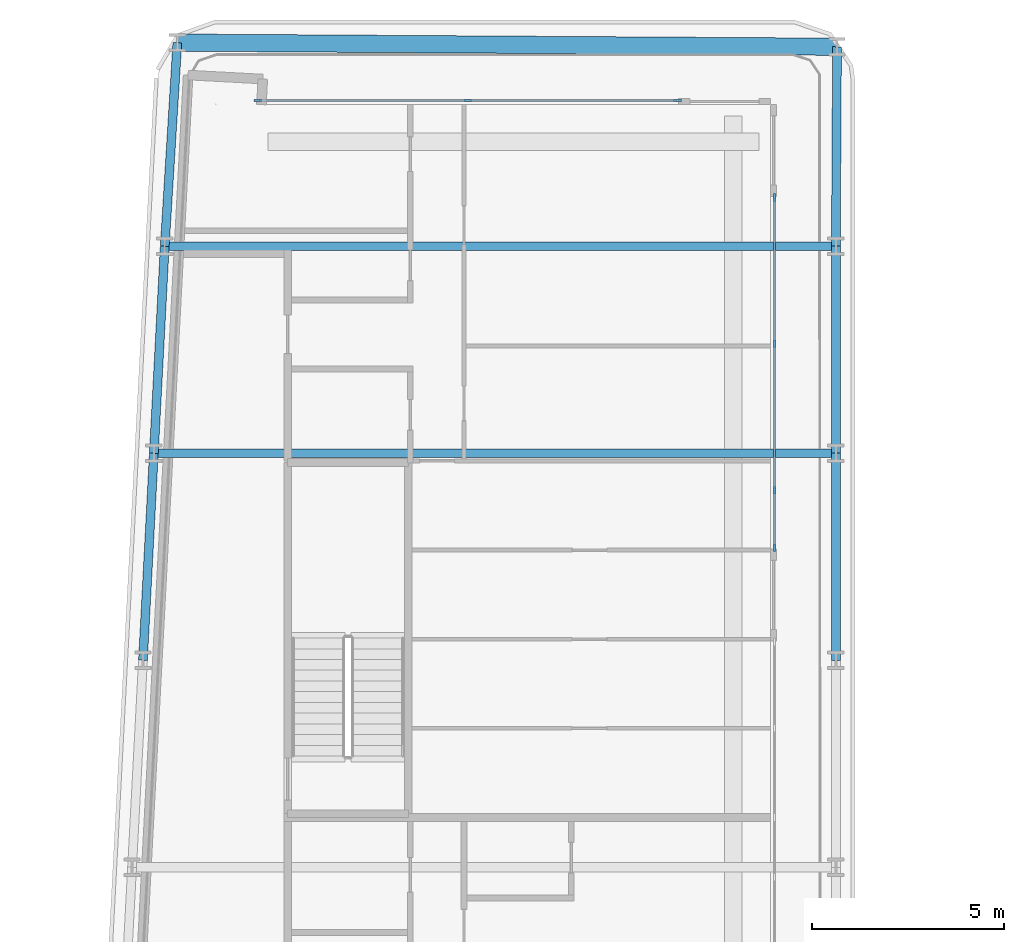
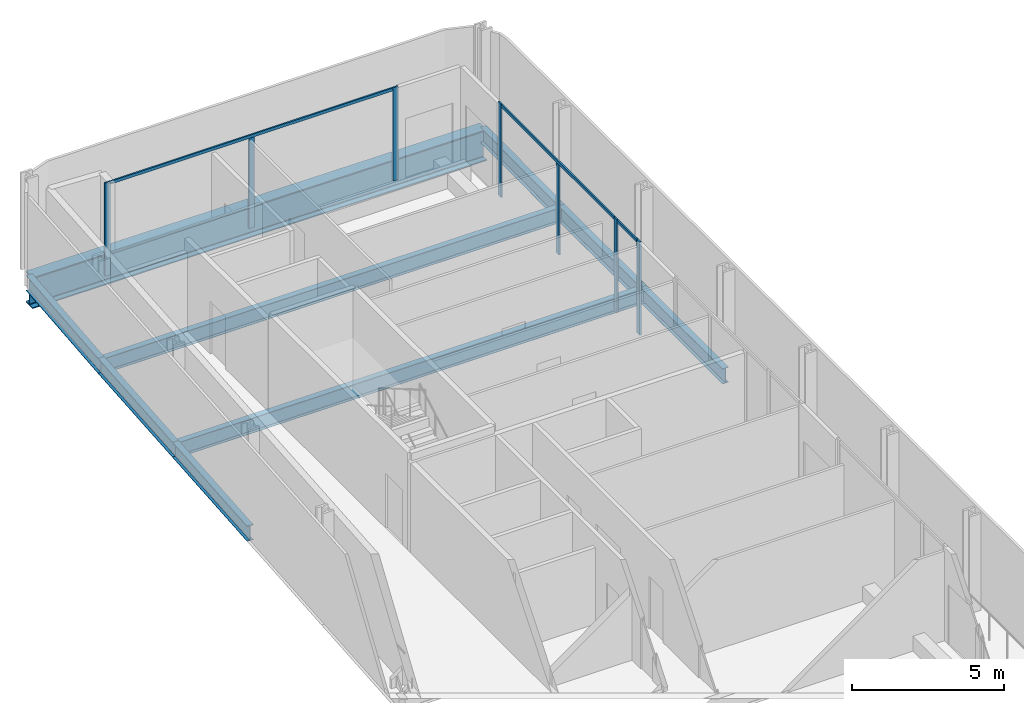
# One storey, part 9 of 28: 10 members, 9 beams, 3 elements without a shape of their own.
"""IFC4 building model written with IfcOpenShell, lengths in metres."""

import ifcopenshell
import ifcopenshell.guid

model = None  # the IFC model being written
_history = None  # IfcOwnerHistory: only IFC2X3 demands one
_inside = {}  # id of a spatial element -> (the spatial element, [elements in it])
_under = {}  # id of a project, library or spatial element -> (it, [spatial elements below it])
_declared = {}  # id of a project -> (the project, [libraries it declares])
_typed = {}  # id of a type object -> (the type object, [elements of that type])
_made_of = {}  # id of a material, layer set ... -> (it, [elements and type objects made of it])


def new_model(schema):
    """Start an empty IFC model of exactly this schema.

    Asked for "IFC4X3", IfcOpenShell would pick the latest addendum, in which some entities
    have other attributes; the version numbers below select the first issue.
    IFC2X3 requires an IfcOwnerHistory on every rooted entity: one is made here for all.
    """
    global model, _history
    if schema == "IFC4X3":
        model = ifcopenshell.file(schema_version=(4, 3, 0, 0))
    else:
        model = ifcopenshell.file(schema=schema)
    _inside.clear()
    _under.clear()
    _declared.clear()
    _typed.clear()
    _made_of.clear()
    _history = None
    if model.schema == "IFC2X3":
        org = make("IfcOrganization", Name="unknown")
        user = make(
            "IfcPersonAndOrganization",
            ThePerson=make("IfcPerson", FamilyName="unknown"),
            TheOrganization=org,
        )
        app = make(
            "IfcApplication",
            ApplicationDeveloper=org,
            Version="unknown",
            ApplicationFullName="unknown",
            ApplicationIdentifier="unknown",
        )
        _history = make(
            "IfcOwnerHistory",
            OwningUser=user,
            OwningApplication=app,
            ChangeAction="ADDED",
            CreationDate=0,
        )
    return model


def make(cls, **values):
    """One entity of the class cls with the attributes given. An attribute that is None is left unset."""
    return model.create_entity(
        cls, **{name: value for name, value in values.items() if value is not None}
    )


def rooted(cls, **values):
    """An entity with a GlobalId (a new one), such as an element, a storey or a relation."""
    return make(cls, GlobalId=ifcopenshell.guid.new(), OwnerHistory=_history, **values)


def si_unit(unit_type, name, prefix=None):
    """IfcSIUnit, for example si_unit("LENGTHUNIT", "METRE", prefix="MILLI")."""
    return make("IfcSIUnit", UnitType=unit_type, Prefix=prefix, Name=name)


def assignment(units):
    """IfcUnitAssignment: the units of a project."""
    return None if units is None else make("IfcUnitAssignment", Units=units)


def point(xyz):
    """IfcCartesianPoint."""
    return None if xyz is None else make("IfcCartesianPoint", Coordinates=xyz)


def direction(xyz):
    """IfcDirection."""
    return None if xyz is None else make("IfcDirection", DirectionRatios=xyz)


def frame(location, z_axis=None, x_axis=None):
    """IfcAxis2Placement3D, a coordinate frame: its origin and axes. An axis left out is left unset."""
    return make(
        "IfcAxis2Placement3D",
        Location=point(location),
        Axis=direction(z_axis),
        RefDirection=direction(x_axis),
    )


def frame_2d(location, x_axis=None):
    """IfcAxis2Placement2D, a coordinate frame in the plane: its origin and x axis."""
    return make(
        "IfcAxis2Placement2D", Location=point(location), RefDirection=direction(x_axis)
    )


def origin():
    """The frame at (0, 0, 0) with its axes left unset."""
    return frame((0.0, 0.0, 0.0))


def origin_2d():
    """The frame at (0, 0) in the plane with its x axis left unset."""
    return frame_2d((0.0, 0.0))


def place(relative_to, where):
    """IfcLocalPlacement: puts the frame where relative to a parent placement (None: the world)."""
    return make(
        "IfcLocalPlacement", PlacementRelTo=relative_to, RelativePlacement=where
    )


def context(
    kind, dimensions, precision=None, world=None, true_north=None, identifier=None
):
    """IfcGeometricRepresentationContext, for example the 3D "Model" context."""
    return make(
        "IfcGeometricRepresentationContext",
        ContextIdentifier=identifier,
        ContextType=kind,
        CoordinateSpaceDimension=dimensions,
        Precision=precision,
        WorldCoordinateSystem=world,
        TrueNorth=true_north,
    )


def subcontext(parent, identifier, kind, view, scale=None):
    """IfcGeometricRepresentationSubContext, for example "Body" below "Model"."""
    return make(
        "IfcGeometricRepresentationSubContext",
        ContextIdentifier=identifier,
        ContextType=kind,
        ParentContext=parent,
        TargetScale=scale,
        TargetView=view,
    )


def project(units=None, contexts=None):
    """IfcProject with its units and contexts."""
    return rooted(
        "IfcProject",
        Name="project",
        RepresentationContexts=contexts,
        UnitsInContext=assignment(units),
    )


def spatial(cls, under=None, at=None, **own):
    """A site, building, storey or space (cls), placed at a placement, below another one or the project."""
    s = rooted(cls, ObjectPlacement=at, **own)
    if under is not None:
        _under.setdefault(under.id(), (under, []))[1].append(s)
    return s


def profile(cls, at=None, kind="AREA", **sizes):
    """A parametric profile (cls). Its sizes go by their IFC names, for example OverallWidth=200.0."""
    return make(cls, ProfileType=kind, Position=at, **sizes)


def rectangle(**sizes):
    """IfcRectangleProfileDef."""
    return profile("IfcRectangleProfileDef", **sizes)


def i_section(**sizes):
    """IfcIShapeProfileDef."""
    return profile("IfcIShapeProfileDef", **sizes)


def extrude(swept, where, along, depth):
    """IfcExtrudedAreaSolid: the profile swept, set in the frame where, extruded along a direction by depth."""
    return make(
        "IfcExtrudedAreaSolid",
        SweptArea=swept,
        Position=where,
        ExtrudedDirection=direction(along),
        Depth=depth,
    )


def shape(context_of_items, identifier, shape_type, items):
    """IfcShapeRepresentation: the items that make up one representation, for example the "Body"."""
    return make(
        "IfcShapeRepresentation",
        ContextOfItems=context_of_items,
        RepresentationIdentifier=identifier,
        RepresentationType=shape_type,
        Items=items,
    )


def material(Name=None, Category=None):
    """IfcMaterial."""
    return make("IfcMaterial", Name=Name, Category=Category)


def layer(
    of_material, thickness, ventilated=None, Name=None, Category=None, Priority=None
):
    """IfcMaterialLayer: one layer of a wall or slab, of a material (None: an air gap)."""
    return make(
        "IfcMaterialLayer",
        Material=of_material,
        LayerThickness=thickness,
        IsVentilated=ventilated,
        Name=Name,
        Category=Category,
        Priority=Priority,
    )


def layer_set(layers, Name=None):
    """IfcMaterialLayerSet."""
    return make("IfcMaterialLayerSet", MaterialLayers=layers, LayerSetName=Name)


def material_profile(
    of_material, cross_section, Name=None, Category=None, Priority=None
):
    """IfcMaterialProfile: a cross section and its material."""
    return make(
        "IfcMaterialProfile",
        Name=Name,
        Material=of_material,
        Profile=cross_section,
        Priority=Priority,
        Category=Category,
    )


def profile_set(profiles, Name=None, composite=None):
    """IfcMaterialProfileSet."""
    return make(
        "IfcMaterialProfileSet",
        Name=Name,
        MaterialProfiles=profiles,
        CompositeProfile=composite,
    )


def made_of(thing, what):
    """Note that an element or type object is made of a material, layer set ...; save() writes the relation."""
    if what is not None:
        _made_of.setdefault(what.id(), (what, []))[1].append(thing)
    return thing


def type_object(cls, material=None, **own):
    """A type object (cls), such as IfcWallType, which elements share."""
    return made_of(rooted(cls, **own), material)


def element(
    cls,
    number,
    at=None,
    inside=None,
    cuts=None,
    type_object=None,
    material=None,
    context=None,
    identifier="Body",
    shape_type=None,
    held_by="IfcProductDefinitionShape",
    body=None,
    shapes=None,
    **own,
):
    """One element of the class cls, such as IfcWall. Its Tag is "e" and its number.

    at: its placement. inside: the storey or other place that contains it. cuts: it is an
    opening in that element (IfcRelVoidsElement). A single representation is given by context,
    identifier, shape_type and body (its items); several are given by shapes. held_by: the class
    of the entity that holds the representations. save() writes the other relations.
    """
    e = rooted(cls, Tag="e%d" % number, ObjectPlacement=at, **own)
    if body is not None:
        shapes = [shape(context, identifier, shape_type, body)]
    if shapes is not None:
        e.Representation = make(held_by, Representations=shapes)
    if inside is not None:
        _inside.setdefault(inside.id(), (inside, []))[1].append(e)
    if cuts is not None:
        rooted(
            "IfcRelVoidsElement", RelatingBuildingElement=cuts, RelatedOpeningElement=e
        )
    if type_object is not None:
        _typed.setdefault(type_object.id(), (type_object, []))[1].append(e)
    return made_of(e, material)


def aggregate(whole, parts):
    """IfcRelAggregates: a whole, such as a stair, and the parts it consists of."""
    return rooted("IfcRelAggregates", RelatingObject=whole, RelatedObjects=parts)


def save(model, path):
    """Write the relations noted so far, then the file.

    IfcRelAggregates (storeys below a building ...), IfcRelContainedInSpatialStructure (elements
    in a storey), IfcRelDefinesByType, IfcRelAssociatesMaterial and IfcRelDeclares: one each for
    every whole, place, type object, material and project.
    """
    for whole, parts in _under.values():
        aggregate(whole, parts)
    for where, things in _inside.values():
        rooted(
            "IfcRelContainedInSpatialStructure",
            RelatedElements=things,
            RelatingStructure=where,
        )
    for kind, things in _typed.values():
        rooted("IfcRelDefinesByType", RelatedObjects=things, RelatingType=kind)
    for what, things in _made_of.values():
        rooted("IfcRelAssociatesMaterial", RelatedObjects=things, RelatingMaterial=what)
    for by, libraries in _declared.values():
        rooted("IfcRelDeclares", RelatingContext=by, RelatedDefinitions=libraries)
    model.write(path)


model = new_model("IFC4")

# Units and contexts
model_context = context("Model", 3, precision=1e-05, world=origin(), true_north=direction((0.0, 1.0)))
body_context = subcontext(model_context, "Body", "Model", "MODEL_VIEW")
ifc_project = project(units=[si_unit("LENGTHUNIT", "METRE"), si_unit("AREAUNIT", "SQUARE_METRE"), si_unit("VOLUMEUNIT", "CUBIC_METRE"), si_unit("PLANEANGLEUNIT", "RADIAN"), si_unit("MASSUNIT", "GRAM", prefix="KILO")], contexts=[model_context])

# Site, building, storey
site_placement = place(None, origin())
site = spatial("IfcSite", under=ifc_project, at=site_placement, CompositionType="ELEMENT")
building_placement = place(site_placement, origin())
building = spatial("IfcBuilding", under=site, at=building_placement, Name="Kheshtan School and Residences Tower", CompositionType="ELEMENT")
storey_placement = place(building_placement, frame((0.0, 0.0, 77.300048828125)))
storey = spatial("IfcBuildingStorey", under=building, at=storey_placement, Name="L18", CompositionType="ELEMENT", Elevation=77.300048828125)

# Beams
ifc_material_1 = material(Name="Steel ASTM A992 Grade 50", Category="steel")
ifc_material_profile_1 = material_profile(ifc_material_1, i_section(OverallWidth=0.22802734375, OverallDepth=0.60302734375, WebThickness=0.010498046875, FlangeThickness=0.014892578125, FilletRadius=0.013427734375, at=origin_2d()), Name="W610x101")
ifc_profile_set_1 = profile_set([ifc_material_profile_1], Name="Steel ASTM A992 Grade 50")
beam_type_1 = type_object("IfcBeamType", Name="Beam FB5 W610x101 ASTM A992 Grade 50", PredefinedType="BEAM", material=ifc_profile_set_1)
beam_1_placement = place(storey_placement, frame((47.60009765625, 94.199951171875, -0.45166015625), z_axis=(-1.0, 0.0, 0.0), x_axis=(0.0, -1.0, 0.0)))
element("IfcBeam", 1, at=beam_1_placement, inside=storey, type_object=beam_type_1, Name="Floor beam C107", PredefinedType="BEAM", context=body_context, shape_type="SweptSolid", body=[
    extrude(i_section(OverallWidth=0.22802734375, OverallDepth=0.60302734375, WebThickness=0.010498046875, FlangeThickness=0.014892578125, FilletRadius=0.013427734375, at=origin_2d()), origin(), (0.0, 0.0, 1.0), 17.505126953125),
])
beam_2_placement = place(storey_placement, frame((29.81103515625, 88.800048828125, -0.45166015625), z_axis=(1.0, 0.0, 0.0), x_axis=(0.0, 1.0, 0.0)))
element("IfcBeam", 2, at=beam_2_placement, inside=storey, type_object=beam_type_1, Name="Floor beam C098", PredefinedType="BEAM", context=body_context, shape_type="SweptSolid", body=[
    extrude(i_section(OverallWidth=0.22802734375, OverallDepth=0.60302734375, WebThickness=0.010498046875, FlangeThickness=0.014892578125, FilletRadius=0.013427734375, at=origin_2d()), origin(), (0.0, 0.0, 1.0), 17.7890625),
])
ifc_material_profile_2 = material_profile(ifc_material_1, i_section(OverallWidth=0.22998046875, OverallDepth=0.616943359375, WebThickness=0.01318359375, FlangeThickness=0.022216796875, FilletRadius=0.0185546875, at=origin_2d()), Name="W610x140")
ifc_profile_set_2 = profile_set([ifc_material_profile_2], Name="Steel ASTM A992 Grade 50")
beam_type_2 = type_object("IfcBeamType", Name="Beam SP1 W610x140 ASTM A992 Grade 50", PredefinedType="BEAM", material=ifc_profile_set_2)
beam_3_placement = place(storey_placement, frame((47.6298828125, 99.402099609375, -0.45849609375), z_axis=(-0.005725455245, -0.999983609447, 0.0), x_axis=(0.999983609447, -0.005725455245, 0.0)))
element("IfcBeam", 3, at=beam_3_placement, inside=storey, type_object=beam_type_2, Name="Spandrel beam C113-C107", PredefinedType="BEAM", context=body_context, shape_type="SweptSolid", body=[
    extrude(i_section(OverallWidth=0.22998046875, OverallDepth=0.616943359375, WebThickness=0.01318359375, FlangeThickness=0.022216796875, FilletRadius=0.0185546875, at=origin_2d()), origin(), (0.0, 0.0, 1.0), 5.2021484375),
])
beam_4_placement = place(storey_placement, frame((47.60009765625, 94.199951171875, -0.45849609375), z_axis=(0.0, -1.0, 0.0), x_axis=(1.0, 0.0, 0.0)))
element("IfcBeam", 4, at=beam_4_placement, inside=storey, type_object=beam_type_2, Name="Spandrel beam C107-C099", PredefinedType="BEAM", context=body_context, shape_type="SweptSolid", body=[
    extrude(i_section(OverallWidth=0.22998046875, OverallDepth=0.616943359375, WebThickness=0.01318359375, FlangeThickness=0.022216796875, FilletRadius=0.0185546875, at=origin_2d()), origin(), (0.0, 0.0, 1.0), 5.39990234375),
])
beam_5_placement = place(storey_placement, frame((47.60009765625, 88.800048828125, -0.45849609375), z_axis=(0.0, -1.0, 0.0), x_axis=(1.0, 0.0, 0.0)))
element("IfcBeam", 5, at=beam_5_placement, inside=storey, type_object=beam_type_2, Name="Spandrel beam C099-C091", PredefinedType="BEAM", context=body_context, shape_type="SweptSolid", body=[
    extrude(i_section(OverallWidth=0.22998046875, OverallDepth=0.616943359375, WebThickness=0.01318359375, FlangeThickness=0.022216796875, FilletRadius=0.0185546875, at=origin_2d()), origin(), (0.0, 0.0, 1.0), 5.400146484375),
])
beam_6_placement = place(storey_placement, frame((29.527099609375, 83.39990234375, -0.45849609375), z_axis=(0.05250670125, 0.998620571751, 0.0), x_axis=(-0.998620571751, 0.05250670125, 0.0)))
element("IfcBeam", 6, at=beam_6_placement, inside=storey, type_object=beam_type_2, Name="Spandrel beam C090-C098", PredefinedType="BEAM", context=body_context, shape_type="SweptSolid", body=[
    extrude(i_section(OverallWidth=0.22998046875, OverallDepth=0.616943359375, WebThickness=0.01318359375, FlangeThickness=0.022216796875, FilletRadius=0.0185546875, at=origin_2d()), origin(), (0.0, 0.0, 1.0), 5.40771484375),
])
beam_7_placement = place(storey_placement, frame((29.81103515625, 88.800048828125, -0.45849609375), z_axis=(0.05250906864, 0.998620447272, 0.0), x_axis=(-0.998620447272, 0.05250906864, 0.0)))
element("IfcBeam", 7, at=beam_7_placement, inside=storey, type_object=beam_type_2, Name="Spandrel beam C098-C106", PredefinedType="BEAM", context=body_context, shape_type="SweptSolid", body=[
    extrude(i_section(OverallWidth=0.22998046875, OverallDepth=0.616943359375, WebThickness=0.01318359375, FlangeThickness=0.022216796875, FilletRadius=0.0185546875, at=origin_2d()), origin(), (0.0, 0.0, 1.0), 5.407470703125),
])
beam_8_placement = place(storey_placement, frame((30.094970703125, 94.199951171875, -0.45849609375), z_axis=(0.061858321816, 0.998084940284, 0.0), x_axis=(-0.998084940284, 0.061858321816, 0.0)))
element("IfcBeam", 8, at=beam_8_placement, inside=storey, type_object=beam_type_2, Name="Spandrel beam C106-C121", PredefinedType="BEAM", context=body_context, shape_type="SweptSolid", body=[
    extrude(i_section(OverallWidth=0.22998046875, OverallDepth=0.616943359375, WebThickness=0.01318359375, FlangeThickness=0.022216796875, FilletRadius=0.0185546875, at=origin_2d()), origin(), (0.0, 0.0, 1.0), 5.3203125),
])

# Curtain wall, members
ifc_material_2 = material(Name="Clear low-e glass in thermally broken aluminium frame", Category="aluminium")
ifc_layer = layer(ifc_material_2, 0.199951171875)
ifc_layer_set = layer_set([ifc_layer], Name="Curtain wall CW-L")
curtain_wall_type = type_object("IfcCurtainWallType", Name="Curtain wall CW-L", PredefinedType="NOTDEFINED", material=ifc_layer_set)
curtain_wall_1_placement = place(storey_placement, origin())
curtain_wall_1 = element("IfcCurtainWall", 9, at=curtain_wall_1_placement, inside=storey, type_object=curtain_wall_type, Name="Curtain wall CWL7", PredefinedType="NOTDEFINED")
ifc_material_3 = material(Name="Thermally broken aluminium, dark bronze anodised", Category="aluminium")
ifc_material_profile_3 = material_profile(ifc_material_3, rectangle(XDim=0.06005859375, YDim=0.199951171875, at=origin_2d()), Name="CW-L mullion 60x200")
ifc_profile_set_3 = profile_set([ifc_material_profile_3], Name="Thermally broken aluminium, dark bronze anodised")
member_type_1 = type_object("IfcMemberType", Name="CW-L mullion 60x200", PredefinedType="MULLION", material=ifc_profile_set_3)
member_1_placement = place(storey_placement, frame((32.52197265625, 98.0, 0.0), z_axis=(0.0, 0.0, 1.0), x_axis=(0.0, 1.0, 0.0)))
member_1 = element("IfcMember", 10, at=member_1_placement, type_object=member_type_1, Name="CWL7 mullion 1", PredefinedType="MULLION", context=body_context, shape_type="SweptSolid", body=[
    extrude(rectangle(XDim=0.06005859375, YDim=0.199951171875, at=origin_2d()), origin(), (0.0, 0.0, 1.0), 3.75),
])
member_2_placement = place(storey_placement, frame((37.99609375, 98.0, 0.0), z_axis=(0.0, 0.0, 1.0), x_axis=(0.0, 1.0, 0.0)))
member_2 = element("IfcMember", 11, at=member_2_placement, type_object=member_type_1, Name="CWL7 mullion 2", PredefinedType="MULLION", context=body_context, shape_type="SweptSolid", body=[
    extrude(rectangle(XDim=0.06005859375, YDim=0.199951171875, at=origin_2d()), origin(), (0.0, 0.0, 1.0), 3.6298828125),
])
member_3_placement = place(storey_placement, frame((43.469970703125, 98.0, 0.0), z_axis=(0.0, 0.0, 1.0), x_axis=(0.0, 1.0, 0.0)))
member_3 = element("IfcMember", 12, at=member_3_placement, type_object=member_type_1, Name="CWL7 mullion 3", PredefinedType="MULLION", context=body_context, shape_type="SweptSolid", body=[
    extrude(rectangle(XDim=0.06005859375, YDim=0.199951171875, at=origin_2d()), origin(), (0.0, 0.0, 1.0), 3.75),
])

curtain_wall_2_placement = place(storey_placement, origin())
curtain_wall_2 = element("IfcCurtainWall", 13, at=curtain_wall_2_placement, inside=storey, type_object=curtain_wall_type, Name="Curtain wall CWL8", PredefinedType="NOTDEFINED")
member_4_placement = place(storey_placement, frame((46.0, 95.469970703125, 0.0), z_axis=(0.0, 0.0, 1.0), x_axis=(1.0, 0.0, 0.0)))
member_4 = element("IfcMember", 14, at=member_4_placement, type_object=member_type_1, Name="CWL8 mullion 1", PredefinedType="MULLION", context=body_context, shape_type="SweptSolid", body=[
    extrude(rectangle(XDim=0.06005859375, YDim=0.199951171875, at=origin_2d()), origin(), (0.0, 0.0, 1.0), 3.75),
])
member_5_placement = place(storey_placement, frame((46.0, 91.653076171875, 0.0), z_axis=(0.0, 0.0, 1.0), x_axis=(1.0, 0.0, 0.0)))
member_5 = element("IfcMember", 15, at=member_5_placement, type_object=member_type_1, Name="CWL8 mullion 2", PredefinedType="MULLION", context=body_context, shape_type="SweptSolid", body=[
    extrude(rectangle(XDim=0.06005859375, YDim=0.199951171875, at=origin_2d()), origin(), (0.0, 0.0, 1.0), 3.6298828125),
])
member_6_placement = place(storey_placement, frame((46.0, 87.8359375, 0.0), z_axis=(0.0, 0.0, 1.0), x_axis=(1.0, 0.0, 0.0)))
member_6 = element("IfcMember", 16, at=member_6_placement, type_object=member_type_1, Name="CWL8 mullion 3", PredefinedType="MULLION", context=body_context, shape_type="SweptSolid", body=[
    extrude(rectangle(XDim=0.06005859375, YDim=0.199951171875, at=origin_2d()), origin(), (0.0, 0.0, 1.0), 3.75),
])

# Curtain wall, member
curtain_wall_3_placement = place(storey_placement, origin())
curtain_wall_3 = element("IfcCurtainWall", 17, at=curtain_wall_3_placement, inside=storey, type_object=curtain_wall_type, Name="Curtain wall CWL8a", PredefinedType="NOTDEFINED")
member_7_placement = place(storey_placement, frame((46.0, 86.3359375, 0.0), z_axis=(0.0, 0.0, 1.0), x_axis=(1.0, 0.0, 0.0)))
member_7 = element("IfcMember", 18, at=member_7_placement, type_object=member_type_1, Name="CWL8a mullion 2", PredefinedType="MULLION", context=body_context, shape_type="SweptSolid", body=[
    extrude(rectangle(XDim=0.06005859375, YDim=0.199951171875, at=origin_2d()), origin(), (0.0, 0.0, 1.0), 3.75),
])

# Member
ifc_material_profile_4 = material_profile(ifc_material_3, rectangle(XDim=0.06005859375, YDim=0.1201171875, at=origin_2d()), Name="CW-L transom 60x120")
ifc_profile_set_4 = profile_set([ifc_material_profile_4], Name="Thermally broken aluminium, dark bronze anodised")
member_type_2 = type_object("IfcMemberType", Name="CW-L transom 60x120", PredefinedType="USERDEFINED", material=ifc_profile_set_4)
member_8_placement = place(storey_placement, frame((32.552001953125, 98.0, 3.68994140625), z_axis=(1.0, 0.0, 0.0), x_axis=(0.0, 1.0, 0.0)))
member_8 = element("IfcMember", 19, at=member_8_placement, type_object=member_type_2, Name="CWL7 transom 1", ObjectType="TRANSOM", PredefinedType="USERDEFINED", context=body_context, shape_type="SweptSolid", body=[
    extrude(rectangle(XDim=0.06005859375, YDim=0.1201171875, at=origin_2d()), origin(), (0.0, 0.0, 1.0), 10.887939453125),
])

aggregate(curtain_wall_1, [member_1, member_2, member_3, member_8])

member_9_placement = place(storey_placement, frame((46.0, 95.43994140625, 3.68994140625), z_axis=(0.0, -1.0, 0.0), x_axis=(1.0, 0.0, 0.0)))
member_9 = element("IfcMember", 20, at=member_9_placement, type_object=member_type_2, Name="CWL8 transom 1", ObjectType="TRANSOM", PredefinedType="USERDEFINED", context=body_context, shape_type="SweptSolid", body=[
    extrude(rectangle(XDim=0.06005859375, YDim=0.1201171875, at=origin_2d()), origin(), (0.0, 0.0, 1.0), 7.573974609375),
])

aggregate(curtain_wall_2, [member_4, member_5, member_6, member_9])

member_10_placement = place(storey_placement, frame((46.0, 87.805908203125, 3.68994140625), z_axis=(0.0, -1.0, 0.0), x_axis=(1.0, 0.0, 0.0)))
member_10 = element("IfcMember", 21, at=member_10_placement, type_object=member_type_2, Name="CWL8a transom 1", ObjectType="TRANSOM", PredefinedType="USERDEFINED", context=body_context, shape_type="SweptSolid", body=[
    extrude(rectangle(XDim=0.06005859375, YDim=0.1201171875, at=origin_2d()), origin(), (0.0, 0.0, 1.0), 1.43994140625),
])

aggregate(curtain_wall_3, [member_7, member_10])

# Beam
ifc_material_profile_5 = material_profile(ifc_material_1, i_section(OverallWidth=0.449951171875, OverallDepth=1.25, WebThickness=0.02490234375, FlangeThickness=0.044921875, FilletRadius=0.03759765625, at=origin_2d()), Name="WWF1250x546")
ifc_profile_set_5 = profile_set([ifc_material_profile_5], Name="Steel ASTM A992 Grade 50")
beam_type_3 = type_object("IfcBeamType", Name="Transfer girder TG4 WWF1250x546 ASTM A992 Grade 50", PredefinedType="BEAM", material=ifc_profile_set_5)
beam_9_placement = place(storey_placement, frame((30.424072265625, 99.510009765625, -0.775146484375), z_axis=(0.999980333297, -0.006271604219, 0.0), x_axis=(0.006271604219, 0.999980333297, 0.0)))
element("IfcBeam", 22, at=beam_9_placement, inside=storey, type_object=beam_type_3, Name="Transfer girder C121-C113", PredefinedType="BEAM", context=body_context, shape_type="SweptSolid", body=[
    extrude(i_section(OverallWidth=0.449951171875, OverallDepth=1.25, WebThickness=0.02490234375, FlangeThickness=0.044921875, FilletRadius=0.03759765625, at=origin_2d()), origin(), (0.0, 0.0, 1.0), 17.2060546875),
])

save(model, "model.ifc")
